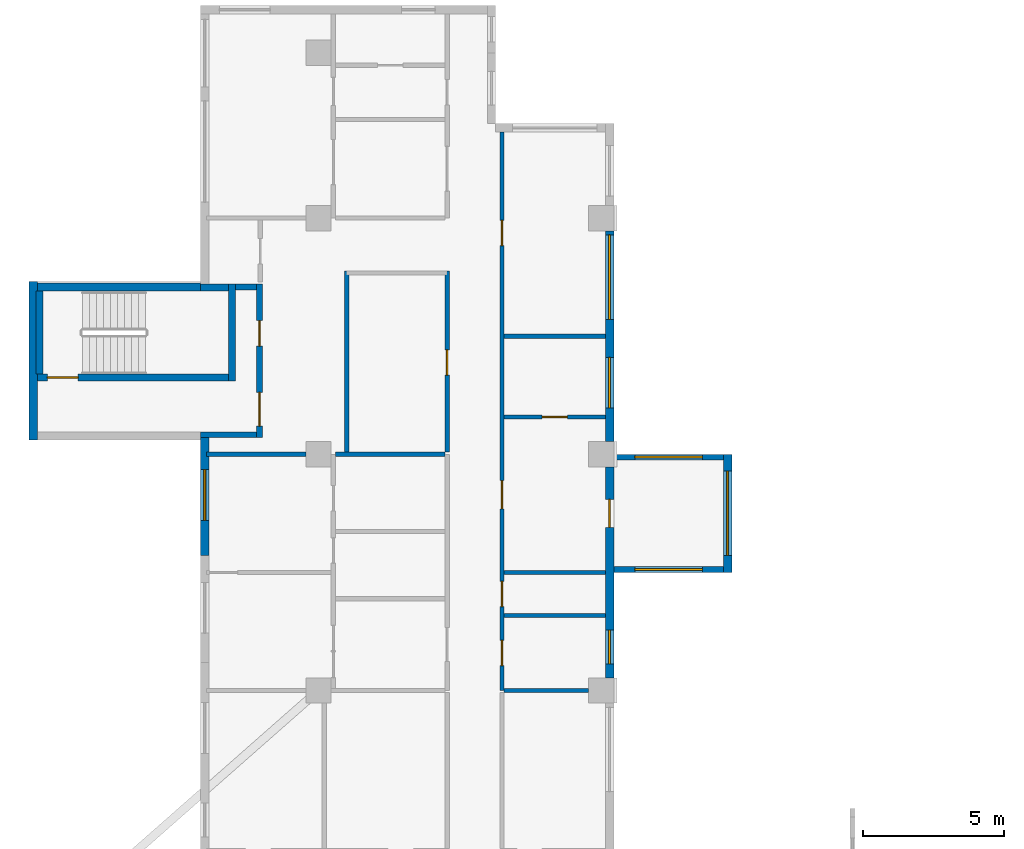
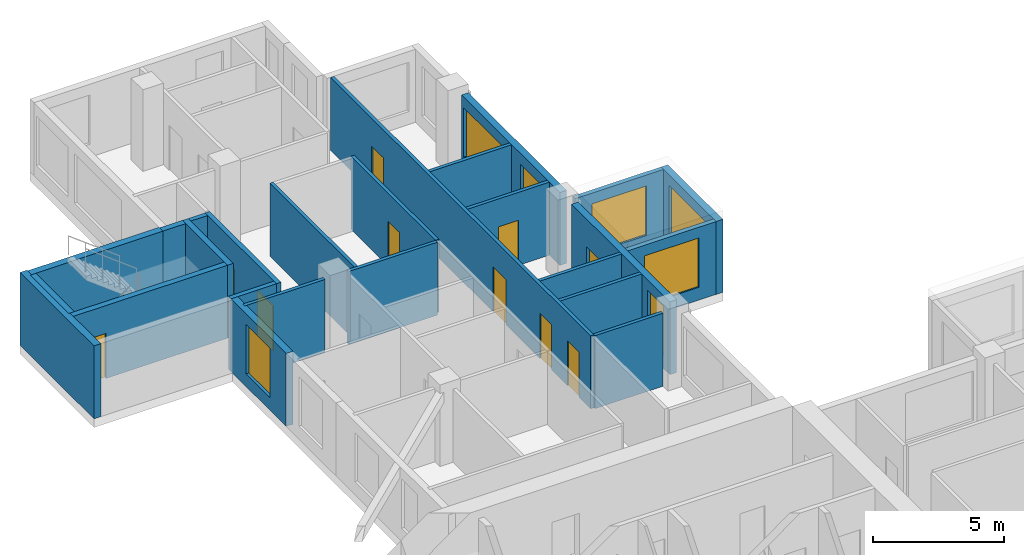
# One storey, part 7 of 12: 25 walls, 10 doors, 7 windows, 17 openings.
"""IFC4 building model written with IfcOpenShell, lengths in metres."""

import ifcopenshell
import ifcopenshell.guid

model = None  # the IFC model being written
_history = None  # IfcOwnerHistory: only IFC2X3 demands one
_inside = {}  # id of a spatial element -> (the spatial element, [elements in it])
_under = {}  # id of a project, library or spatial element -> (it, [spatial elements below it])
_declared = {}  # id of a project -> (the project, [libraries it declares])
_typed = {}  # id of a type object -> (the type object, [elements of that type])
_made_of = {}  # id of a material, layer set ... -> (it, [elements and type objects made of it])


def new_model(schema):
    """Start an empty IFC model of exactly this schema.

    Asked for "IFC4X3", IfcOpenShell would pick the latest addendum, in which some entities
    have other attributes; the version numbers below select the first issue.
    IFC2X3 requires an IfcOwnerHistory on every rooted entity: one is made here for all.
    """
    global model, _history
    if schema == "IFC4X3":
        model = ifcopenshell.file(schema_version=(4, 3, 0, 0))
    else:
        model = ifcopenshell.file(schema=schema)
    _inside.clear()
    _under.clear()
    _declared.clear()
    _typed.clear()
    _made_of.clear()
    _history = None
    if model.schema == "IFC2X3":
        org = make("IfcOrganization", Name="unknown")
        user = make(
            "IfcPersonAndOrganization",
            ThePerson=make("IfcPerson", FamilyName="unknown"),
            TheOrganization=org,
        )
        app = make(
            "IfcApplication",
            ApplicationDeveloper=org,
            Version="unknown",
            ApplicationFullName="unknown",
            ApplicationIdentifier="unknown",
        )
        _history = make(
            "IfcOwnerHistory",
            OwningUser=user,
            OwningApplication=app,
            ChangeAction="ADDED",
            CreationDate=0,
        )
    return model


def make(cls, **values):
    """One entity of the class cls with the attributes given. An attribute that is None is left unset."""
    return model.create_entity(
        cls, **{name: value for name, value in values.items() if value is not None}
    )


def rooted(cls, **values):
    """An entity with a GlobalId (a new one), such as an element, a storey or a relation."""
    return make(cls, GlobalId=ifcopenshell.guid.new(), OwnerHistory=_history, **values)


def si_unit(unit_type, name, prefix=None):
    """IfcSIUnit, for example si_unit("LENGTHUNIT", "METRE", prefix="MILLI")."""
    return make("IfcSIUnit", UnitType=unit_type, Prefix=prefix, Name=name)


def assignment(units):
    """IfcUnitAssignment: the units of a project."""
    return None if units is None else make("IfcUnitAssignment", Units=units)


def point(xyz):
    """IfcCartesianPoint."""
    return None if xyz is None else make("IfcCartesianPoint", Coordinates=xyz)


def direction(xyz):
    """IfcDirection."""
    return None if xyz is None else make("IfcDirection", DirectionRatios=xyz)


def frame(location, z_axis=None, x_axis=None):
    """IfcAxis2Placement3D, a coordinate frame: its origin and axes. An axis left out is left unset."""
    return make(
        "IfcAxis2Placement3D",
        Location=point(location),
        Axis=direction(z_axis),
        RefDirection=direction(x_axis),
    )


def frame_2d(location, x_axis=None):
    """IfcAxis2Placement2D, a coordinate frame in the plane: its origin and x axis."""
    return make(
        "IfcAxis2Placement2D", Location=point(location), RefDirection=direction(x_axis)
    )


def origin():
    """The frame at (0, 0, 0) with its axes left unset."""
    return frame((0.0, 0.0, 0.0))


def place(relative_to, where):
    """IfcLocalPlacement: puts the frame where relative to a parent placement (None: the world)."""
    return make(
        "IfcLocalPlacement", PlacementRelTo=relative_to, RelativePlacement=where
    )


def context(
    kind, dimensions, precision=None, world=None, true_north=None, identifier=None
):
    """IfcGeometricRepresentationContext, for example the 3D "Model" context."""
    return make(
        "IfcGeometricRepresentationContext",
        ContextIdentifier=identifier,
        ContextType=kind,
        CoordinateSpaceDimension=dimensions,
        Precision=precision,
        WorldCoordinateSystem=world,
        TrueNorth=true_north,
    )


def subcontext(parent, identifier, kind, view, scale=None):
    """IfcGeometricRepresentationSubContext, for example "Body" below "Model"."""
    return make(
        "IfcGeometricRepresentationSubContext",
        ContextIdentifier=identifier,
        ContextType=kind,
        ParentContext=parent,
        TargetScale=scale,
        TargetView=view,
    )


def project(units=None, contexts=None):
    """IfcProject with its units and contexts."""
    return rooted(
        "IfcProject",
        Name="project",
        RepresentationContexts=contexts,
        UnitsInContext=assignment(units),
    )


def spatial(cls, under=None, at=None, **own):
    """A site, building, storey or space (cls), placed at a placement, below another one or the project."""
    s = rooted(cls, ObjectPlacement=at, **own)
    if under is not None:
        _under.setdefault(under.id(), (under, []))[1].append(s)
    return s


def profile(cls, at=None, kind="AREA", **sizes):
    """A parametric profile (cls). Its sizes go by their IFC names, for example OverallWidth=200.0."""
    return make(cls, ProfileType=kind, Position=at, **sizes)


def rectangle(**sizes):
    """IfcRectangleProfileDef."""
    return profile("IfcRectangleProfileDef", **sizes)


def extrude(swept, where, along, depth):
    """IfcExtrudedAreaSolid: the profile swept, set in the frame where, extruded along a direction by depth."""
    return make(
        "IfcExtrudedAreaSolid",
        SweptArea=swept,
        Position=where,
        ExtrudedDirection=direction(along),
        Depth=depth,
    )


def shape(context_of_items, identifier, shape_type, items):
    """IfcShapeRepresentation: the items that make up one representation, for example the "Body"."""
    return make(
        "IfcShapeRepresentation",
        ContextOfItems=context_of_items,
        RepresentationIdentifier=identifier,
        RepresentationType=shape_type,
        Items=items,
    )


def source(mapping_origin, context_of_items, identifier, shape_type, items):
    """IfcRepresentationMap: a shape defined once, which mapped items show again and again."""
    return make(
        "IfcRepresentationMap",
        MappingOrigin=mapping_origin,
        MappedRepresentation=shape(context_of_items, identifier, shape_type, items),
    )


def transform(
    local_origin,
    x_axis=None,
    y_axis=None,
    z_axis=None,
    scale=None,
    scale2=None,
    scale3=None,
    uniform=True,
):
    """IfcCartesianTransformationOperator3D, or its non-uniform kind. x_axis, y_axis, z_axis: its Axis1, 2, 3."""
    if uniform:
        return make(
            "IfcCartesianTransformationOperator3D",
            Axis1=direction(x_axis),
            Axis2=direction(y_axis),
            LocalOrigin=point(local_origin),
            Scale=scale,
            Axis3=direction(z_axis),
        )
    return make(
        "IfcCartesianTransformationOperator3DnonUniform",
        Axis1=direction(x_axis),
        Axis2=direction(y_axis),
        LocalOrigin=point(local_origin),
        Scale=scale,
        Axis3=direction(z_axis),
        Scale2=scale2,
        Scale3=scale3,
    )


def mapped(mapping_source, mapping_target):
    """IfcMappedItem: shows the shape of a source again, moved by a transform."""
    return make(
        "IfcMappedItem", MappingSource=mapping_source, MappingTarget=mapping_target
    )


def material(Name=None, Category=None):
    """IfcMaterial."""
    return make("IfcMaterial", Name=Name, Category=Category)


def layer(
    of_material, thickness, ventilated=None, Name=None, Category=None, Priority=None
):
    """IfcMaterialLayer: one layer of a wall or slab, of a material (None: an air gap)."""
    return make(
        "IfcMaterialLayer",
        Material=of_material,
        LayerThickness=thickness,
        IsVentilated=ventilated,
        Name=Name,
        Category=Category,
        Priority=Priority,
    )


def layer_set(layers, Name=None):
    """IfcMaterialLayerSet."""
    return make("IfcMaterialLayerSet", MaterialLayers=layers, LayerSetName=Name)


def made_of(thing, what):
    """Note that an element or type object is made of a material, layer set ...; save() writes the relation."""
    if what is not None:
        _made_of.setdefault(what.id(), (what, []))[1].append(thing)
    return thing


def type_object(cls, material=None, **own):
    """A type object (cls), such as IfcWallType, which elements share."""
    return made_of(rooted(cls, **own), material)


def element(
    cls,
    number,
    at=None,
    inside=None,
    cuts=None,
    type_object=None,
    material=None,
    context=None,
    identifier="Body",
    shape_type=None,
    held_by="IfcProductDefinitionShape",
    body=None,
    shapes=None,
    **own,
):
    """One element of the class cls, such as IfcWall. Its Tag is "e" and its number.

    at: its placement. inside: the storey or other place that contains it. cuts: it is an
    opening in that element (IfcRelVoidsElement). A single representation is given by context,
    identifier, shape_type and body (its items); several are given by shapes. held_by: the class
    of the entity that holds the representations. save() writes the other relations.
    """
    e = rooted(cls, Tag="e%d" % number, ObjectPlacement=at, **own)
    if body is not None:
        shapes = [shape(context, identifier, shape_type, body)]
    if shapes is not None:
        e.Representation = make(held_by, Representations=shapes)
    if inside is not None:
        _inside.setdefault(inside.id(), (inside, []))[1].append(e)
    if cuts is not None:
        rooted(
            "IfcRelVoidsElement", RelatingBuildingElement=cuts, RelatedOpeningElement=e
        )
    if type_object is not None:
        _typed.setdefault(type_object.id(), (type_object, []))[1].append(e)
    return made_of(e, material)


def fill(opening, filler):
    """IfcRelFillsElement: the door or window that sits in an opening."""
    return rooted(
        "IfcRelFillsElement",
        RelatingOpeningElement=opening,
        RelatedBuildingElement=filler,
    )


def aggregate(whole, parts):
    """IfcRelAggregates: a whole, such as a stair, and the parts it consists of."""
    return rooted("IfcRelAggregates", RelatingObject=whole, RelatedObjects=parts)


def save(model, path):
    """Write the relations noted so far, then the file.

    IfcRelAggregates (storeys below a building ...), IfcRelContainedInSpatialStructure (elements
    in a storey), IfcRelDefinesByType, IfcRelAssociatesMaterial and IfcRelDeclares: one each for
    every whole, place, type object, material and project.
    """
    for whole, parts in _under.values():
        aggregate(whole, parts)
    for where, things in _inside.values():
        rooted(
            "IfcRelContainedInSpatialStructure",
            RelatedElements=things,
            RelatingStructure=where,
        )
    for kind, things in _typed.values():
        rooted("IfcRelDefinesByType", RelatedObjects=things, RelatingType=kind)
    for what, things in _made_of.values():
        rooted("IfcRelAssociatesMaterial", RelatedObjects=things, RelatingMaterial=what)
    for by, libraries in _declared.values():
        rooted("IfcRelDeclares", RelatingContext=by, RelatedDefinitions=libraries)
    model.write(path)


model = new_model("IFC4")

# Units and contexts
model_context = context("Model", 3, precision=1e-05, world=origin(), true_north=direction((0.0, 1.0)))
body_context = subcontext(model_context, "Body", "Model", "MODEL_VIEW")
ifc_project = project(units=[si_unit("LENGTHUNIT", "METRE"), si_unit("AREAUNIT", "SQUARE_METRE"), si_unit("VOLUMEUNIT", "CUBIC_METRE"), si_unit("PLANEANGLEUNIT", "RADIAN"), si_unit("MASSUNIT", "GRAM", prefix="KILO")], contexts=[model_context])

# Site, building, storey
site_placement = place(None, origin())
site = spatial("IfcSite", under=ifc_project, at=site_placement, CompositionType="ELEMENT")
building_placement = place(site_placement, origin())
building = spatial("IfcBuilding", under=site, at=building_placement, Name="Aurelian Terraces", CompositionType="ELEMENT")
storey_placement = place(building_placement, frame((0.0, 0.0, 181.6)))
storey = spatial("IfcBuildingStorey", under=building, at=storey_placement, Name="L39", CompositionType="ELEMENT", Elevation=181.6)

# Wall, openings, window, door
ifc_material_1 = material(Name="Terracotta rainscreen cladding", Category="masonry")
ifc_layer_1 = layer(ifc_material_1, 0.3)
ifc_layer_set_1 = layer_set([ifc_layer_1], Name="EW-300")
wall_type_1 = type_object("IfcWallType", Name="EW-300", PredefinedType="STANDARD", material=ifc_layer_set_1)
shared_shape_1 = source(origin(), body_context, "Body", "SweptSolid", [
    extrude(rectangle(XDim=7.5, YDim=0.3, at=frame_2d((3.75, 0.0))), origin(), (0.0, 0.0, 1.0), 3.4),
])
wall_1_placement = place(storey_placement, frame((20.85, 29.85, 0.0), z_axis=(0.0, 0.0, 1.0), x_axis=(0.0, 1.0, 0.0)))
wall_1 = element("IfcWall", 1, at=wall_1_placement, inside=storey, type_object=wall_type_1, Name="External wall L39 F08.19", PredefinedType="STANDARD", context=body_context, shape_type="MappedRepresentation", body=[
    mapped(shared_shape_1, transform((0.0, 0.0, 0.0), scale=1.0)),
])
shared_shape_2 = source(origin(), body_context, "Body", "SweptSolid", [
    extrude(rectangle(XDim=1.2, YDim=2.3, at=frame_2d((0.6, 1.15))), frame((0.0, 0.16, 0.0), z_axis=(0.0, -1.0, 0.0), x_axis=(1.0, 0.0, 0.0)), (0.0, 0.0, 1.0), 0.32),
])
opening_1_placement = place(wall_1_placement, frame((0.496, 0.0, 0.6)))
opening_1 = element("IfcOpeningElement", 2, at=opening_1_placement, cuts=wall_1, Name="Opening W1223", PredefinedType="OPENING", context=body_context, shape_type="MappedRepresentation", body=[
    mapped(shared_shape_2, transform((0.0, 0.0, 0.0), scale=1.0)),
])
shared_shape_3 = source(origin(), body_context, "Body", "SweptSolid", [
    extrude(rectangle(XDim=1.0, YDim=2.1, at=frame_2d((0.5, 1.05))), frame((0.0, 0.16, 0.0), z_axis=(0.0, -1.0, 0.0), x_axis=(1.0, 0.0, 0.0)), (0.0, 0.0, 1.0), 0.32),
])
opening_2_placement = place(wall_1_placement, frame((5.35, 0.0, 0.0)))
opening_2 = element("IfcOpeningElement", 3, at=opening_2_placement, cuts=wall_1, Name="Opening 839003", PredefinedType="OPENING", context=body_context, shape_type="MappedRepresentation", body=[
    mapped(shared_shape_3, transform((0.0, 0.0, 0.0), scale=1.0)),
])
ifc_material_2 = material(Name="Clear glazing", Category="glass")
window_type_1 = type_object("IfcWindowType", Name="W-1200x2300", PartitioningType="SINGLE_PANEL", PredefinedType="WINDOW", material=ifc_material_2)
shared_shape_4 = source(origin(), body_context, "Body", "SweptSolid", [
    extrude(rectangle(XDim=1.2, YDim=2.3, at=frame_2d((0.6, 1.15))), frame((0.0, 0.03, 0.0), z_axis=(0.0, -1.0, 0.0), x_axis=(1.0, 0.0, 0.0)), (0.0, 0.0, 1.0), 0.06),
])
window_1_placement = place(opening_1_placement, origin())
window_1 = element("IfcWindow", 4, at=window_1_placement, inside=storey, type_object=window_type_1, Name="Window L39 L39-F08-19-0", OverallHeight=2.3, OverallWidth=1.2, PartitioningType="SINGLE_PANEL", PredefinedType="WINDOW", context=body_context, shape_type="MappedRepresentation", body=[
    mapped(shared_shape_4, transform((0.0, 0.0, 0.0), scale=1.0)),
])
fill(opening_1, window_1)
ifc_material_3 = material(Name="Timber door leaf", Category="wood")
door_type_1 = type_object("IfcDoorType", Name="Room door 1000x2100 left", OperationType="SINGLE_SWING_LEFT", PredefinedType="DOOR", material=ifc_material_3)
shared_shape_5 = source(origin(), body_context, "Body", "SweptSolid", [
    extrude(rectangle(XDim=1.0, YDim=2.1, at=frame_2d((0.5, 1.05))), frame((0.0, 0.025, 0.0), z_axis=(0.0, -1.0, 0.0), x_axis=(1.0, 0.0, 0.0)), (0.0, 0.0, 1.0), 0.05),
])
door_1_placement = place(opening_2_placement, origin())
door_1 = element("IfcDoor", 5, at=door_1_placement, inside=storey, type_object=door_type_1, Name="Door 839003", OperationType="SINGLE_SWING_LEFT", OverallHeight=2.1, OverallWidth=1.0, PredefinedType="DOOR", context=body_context, shape_type="MappedRepresentation", body=[
    mapped(shared_shape_5, transform((0.0, 0.0, 0.0), scale=1.0)),
])
fill(opening_2, door_1)

# Wall, openings, windows
wall_2_placement = place(storey_placement, frame((20.85, 38.25, 0.0), z_axis=(0.0, 0.0, 1.0), x_axis=(0.0, 1.0, 0.0)))
wall_2 = element("IfcWall", 6, at=wall_2_placement, inside=storey, type_object=wall_type_1, Name="External wall L39 F08.20", PredefinedType="STANDARD", context=body_context, shape_type="MappedRepresentation", body=[
    mapped(shared_shape_1, transform((0.0, 0.0, 0.0), scale=1.0)),
])
shared_shape_6 = source(origin(), body_context, "Body", "SweptSolid", [
    extrude(rectangle(XDim=1.8, YDim=2.3, at=frame_2d((0.9, 1.15))), frame((0.0, 0.16, 0.0), z_axis=(0.0, -1.0, 0.0), x_axis=(1.0, 0.0, 0.0)), (0.0, 0.0, 1.0), 0.32),
])
opening_3_placement = place(wall_2_placement, frame((1.2, 0.0, 0.6)))
opening_3 = element("IfcOpeningElement", 7, at=opening_3_placement, cuts=wall_2, Name="Opening W1823", PredefinedType="OPENING", context=body_context, shape_type="MappedRepresentation", body=[
    mapped(shared_shape_6, transform((0.0, 0.0, 0.0), scale=1.0)),
])
shared_shape_7 = source(origin(), body_context, "Body", "SweptSolid", [
    extrude(rectangle(XDim=3.0, YDim=2.3, at=frame_2d((1.5, 1.15))), frame((0.0, 0.16, 0.0), z_axis=(0.0, -1.0, 0.0), x_axis=(1.0, 0.0, 0.0)), (0.0, 0.0, 1.0), 0.32),
])
opening_4_placement = place(wall_2_placement, frame((4.35, 0.0, 0.6)))
opening_4 = element("IfcOpeningElement", 8, at=opening_4_placement, cuts=wall_2, Name="Opening W3023", PredefinedType="OPENING", context=body_context, shape_type="MappedRepresentation", body=[
    mapped(shared_shape_7, transform((0.0, 0.0, 0.0), scale=1.0)),
])
window_type_2 = type_object("IfcWindowType", Name="W-3000x2300", PartitioningType="SINGLE_PANEL", PredefinedType="WINDOW", material=ifc_material_2)
shared_shape_8 = source(origin(), body_context, "Body", "SweptSolid", [
    extrude(rectangle(XDim=3.0, YDim=2.3, at=frame_2d((1.5, 1.15))), frame((0.0, 0.03, 0.0), z_axis=(0.0, -1.0, 0.0), x_axis=(1.0, 0.0, 0.0)), (0.0, 0.0, 1.0), 0.06),
])
window_2_placement = place(opening_4_placement, origin())
window_2 = element("IfcWindow", 9, at=window_2_placement, inside=storey, type_object=window_type_2, Name="Window L39 L39-F08-20-1", OverallHeight=2.3, OverallWidth=3.0, PartitioningType="SINGLE_PANEL", PredefinedType="WINDOW", context=body_context, shape_type="MappedRepresentation", body=[
    mapped(shared_shape_8, transform((0.0, 0.0, 0.0), scale=1.0)),
])
fill(opening_4, window_2)
window_type_3 = type_object("IfcWindowType", Name="W-1800x2300", PartitioningType="SINGLE_PANEL", PredefinedType="WINDOW", material=ifc_material_2)
shared_shape_9 = source(origin(), body_context, "Body", "SweptSolid", [
    extrude(rectangle(XDim=1.8, YDim=2.3, at=frame_2d((0.9, 1.15))), frame((0.0, 0.03, 0.0), z_axis=(0.0, -1.0, 0.0), x_axis=(1.0, 0.0, 0.0)), (0.0, 0.0, 1.0), 0.06),
])
window_3_placement = place(opening_3_placement, origin())
window_3 = element("IfcWindow", 10, at=window_3_placement, inside=storey, type_object=window_type_3, Name="Window L39 L39-F08-20-0", OverallHeight=2.3, OverallWidth=1.8, PartitioningType="SINGLE_PANEL", PredefinedType="WINDOW", context=body_context, shape_type="MappedRepresentation", body=[
    mapped(shared_shape_9, transform((0.0, 0.0, 0.0), scale=1.0)),
])
fill(opening_3, window_3)

# Wall, opening, window
shared_shape_10 = source(origin(), body_context, "Body", "SweptSolid", [
    extrude(rectangle(XDim=4.2, YDim=0.3, at=frame_2d((2.1, 0.0))), origin(), (0.0, 0.0, 1.0), 3.4),
])
wall_3_placement = place(storey_placement, frame((6.45, 38.4, 0.0), z_axis=(0.0, 0.0, 1.0), x_axis=(0.0, -1.0, 0.0)))
wall_3 = element("IfcWall", 11, at=wall_3_placement, inside=storey, type_object=wall_type_1, Name="External wall L39 F16.30", PredefinedType="STANDARD", context=body_context, shape_type="MappedRepresentation", body=[
    mapped(shared_shape_10, transform((0.0, 0.0, 0.0), scale=1.0)),
])
opening_5_placement = place(wall_3_placement, frame((1.15, 0.0, 0.6)))
opening_5 = element("IfcOpeningElement", 12, at=opening_5_placement, cuts=wall_3, Name="Opening W1823", PredefinedType="OPENING", context=body_context, shape_type="MappedRepresentation", body=[
    mapped(shared_shape_6, transform((0.0, 0.0, 0.0), scale=1.0)),
])
window_4_placement = place(opening_5_placement, origin())
window_4 = element("IfcWindow", 13, at=window_4_placement, inside=storey, type_object=window_type_3, Name="Window L39 L39-F16-30-0", OverallHeight=2.3, OverallWidth=1.8, PartitioningType="SINGLE_PANEL", PredefinedType="WINDOW", context=body_context, shape_type="MappedRepresentation", body=[
    mapped(shared_shape_9, transform((0.0, 0.0, 0.0), scale=1.0)),
])
fill(opening_5, window_4)

# Wall
ifc_material_4 = material(Name="Concrete fc' 40 MPa", Category="concrete")
ifc_layer_2 = layer(ifc_material_4, 0.3)
ifc_layer_set_2 = layer_set([ifc_layer_2], Name="STAIR BAY WALL 300")
wall_type_2 = type_object("IfcWallType", Name="STAIR BAY WALL 300", PredefinedType="SOLIDWALL", material=ifc_layer_set_2)
shared_shape_11 = source(origin(), body_context, "Body", "SweptSolid", [
    extrude(rectangle(XDim=6.1, YDim=0.3, at=frame_2d((3.05, 0.0))), origin(), (0.0, 0.0, 1.0), 3.4),
])
wall_4_placement = place(storey_placement, frame((6.3, 43.75, 0.0), z_axis=(0.0, 0.0, 1.0), x_axis=(-1.0, 0.0, 0.0)))
element("IfcWall", 14, at=wall_4_placement, inside=storey, type_object=wall_type_2, Name="Stair bay wall L39 F13.27", PredefinedType="SOLIDWALL", context=body_context, shape_type="MappedRepresentation", body=[
    mapped(shared_shape_11, transform((0.0, 0.0, 0.0), scale=1.0)),
])

# Wall, opening, window
ifc_layer_3 = layer(ifc_material_4, 0.2)
ifc_layer_set_3 = layer_set([ifc_layer_3], Name="BOX BEARING WALL 200")
wall_type_3 = type_object("IfcWallType", Name="BOX BEARING WALL 200", PredefinedType="SOLIDWALL", material=ifc_layer_set_3)
shared_shape_12 = source(origin(), body_context, "Body", "SweptSolid", [
    extrude(rectangle(XDim=3.9, YDim=0.2, at=frame_2d((1.95, 0.0))), origin(), (0.0, 0.0, 1.0), 3.4),
])
wall_5_placement = place(storey_placement, frame((21.0, 33.7, 0.0), z_axis=(0.0, 0.0, 1.0), x_axis=(1.0, 0.0, 0.0)))
wall_5 = element("IfcWall", 15, at=wall_5_placement, inside=storey, type_object=wall_type_3, Name="Box return L39 J53.1", PredefinedType="SOLIDWALL", context=body_context, shape_type="MappedRepresentation", body=[
    mapped(shared_shape_12, transform((0.0, 0.0, 0.0), scale=1.0)),
])
shared_shape_13 = source(origin(), body_context, "Body", "SweptSolid", [
    extrude(rectangle(XDim=2.4, YDim=2.3, at=frame_2d((1.2, 1.15))), frame((0.0, 0.11, 0.0), z_axis=(0.0, -1.0, 0.0), x_axis=(1.0, 0.0, 0.0)), (0.0, 0.0, 1.0), 0.22),
])
opening_6_placement = place(wall_5_placement, frame((0.75, 0.0, 0.6)))
opening_6 = element("IfcOpeningElement", 16, at=opening_6_placement, cuts=wall_5, Name="Opening W2423", PredefinedType="OPENING", context=body_context, shape_type="MappedRepresentation", body=[
    mapped(shared_shape_13, transform((0.0, 0.0, 0.0), scale=1.0)),
])
window_type_4 = type_object("IfcWindowType", Name="W-2400x2300", PartitioningType="SINGLE_PANEL", PredefinedType="WINDOW", material=ifc_material_2)
shared_shape_14 = source(origin(), body_context, "Body", "SweptSolid", [
    extrude(rectangle(XDim=2.4, YDim=2.3, at=frame_2d((1.2, 1.15))), frame((0.0, 0.03, 0.0), z_axis=(0.0, -1.0, 0.0), x_axis=(1.0, 0.0, 0.0)), (0.0, 0.0, 1.0), 0.06),
])
window_5_placement = place(opening_6_placement, origin())
window_5 = element("IfcWindow", 17, at=window_5_placement, inside=storey, type_object=window_type_4, Name="Window L39 J53-S1", OverallHeight=2.3, OverallWidth=2.4, PartitioningType="SINGLE_PANEL", PredefinedType="WINDOW", context=body_context, shape_type="MappedRepresentation", body=[
    mapped(shared_shape_14, transform((0.0, 0.0, 0.0), scale=1.0)),
])
fill(opening_6, window_5)

wall_6_placement = place(storey_placement, frame((21.0, 37.7, 0.0), z_axis=(0.0, 0.0, 1.0), x_axis=(1.0, 0.0, 0.0)))
wall_6 = element("IfcWall", 18, at=wall_6_placement, inside=storey, type_object=wall_type_3, Name="Box return L39 J53.2", PredefinedType="SOLIDWALL", context=body_context, shape_type="MappedRepresentation", body=[
    mapped(shared_shape_12, transform((0.0, 0.0, 0.0), scale=1.0)),
])
opening_7_placement = place(wall_6_placement, frame((0.75, 0.0, 0.6)))
opening_7 = element("IfcOpeningElement", 19, at=opening_7_placement, cuts=wall_6, Name="Opening W2423", PredefinedType="OPENING", context=body_context, shape_type="MappedRepresentation", body=[
    mapped(shared_shape_13, transform((0.0, 0.0, 0.0), scale=1.0)),
])
window_6_placement = place(opening_7_placement, origin())
window_6 = element("IfcWindow", 20, at=window_6_placement, inside=storey, type_object=window_type_4, Name="Window L39 J53-S2", OverallHeight=2.3, OverallWidth=2.4, PartitioningType="SINGLE_PANEL", PredefinedType="WINDOW", context=body_context, shape_type="MappedRepresentation", body=[
    mapped(shared_shape_14, transform((0.0, 0.0, 0.0), scale=1.0)),
])
fill(opening_7, window_6)

ifc_layer_4 = layer(ifc_material_4, 0.3)
ifc_layer_set_4 = layer_set([ifc_layer_4], Name="BOX BEARING WALL 300")
wall_type_4 = type_object("IfcWallType", Name="BOX BEARING WALL 300", PredefinedType="SOLIDWALL", material=ifc_layer_set_4)
shared_shape_15 = source(origin(), body_context, "Body", "SweptSolid", [
    extrude(rectangle(XDim=4.2, YDim=0.3, at=frame_2d((2.1, 0.0))), origin(), (0.0, 0.0, 1.0), 3.4),
])
wall_7_placement = place(storey_placement, frame((25.05, 33.6, 0.0), z_axis=(0.0, 0.0, 1.0), x_axis=(0.0, 1.0, 0.0)))
wall_7 = element("IfcWall", 21, at=wall_7_placement, inside=storey, type_object=wall_type_4, Name="Box wall L39 J53", PredefinedType="SOLIDWALL", context=body_context, shape_type="MappedRepresentation", body=[
    mapped(shared_shape_15, transform((0.0, 0.0, 0.0), scale=1.0)),
])
opening_8_placement = place(wall_7_placement, frame((0.6, 0.0, 0.6)))
opening_8 = element("IfcOpeningElement", 22, at=opening_8_placement, cuts=wall_7, Name="Opening W3023", PredefinedType="OPENING", context=body_context, shape_type="MappedRepresentation", body=[
    mapped(shared_shape_7, transform((0.0, 0.0, 0.0), scale=1.0)),
])
window_7_placement = place(opening_8_placement, origin())
window_7 = element("IfcWindow", 23, at=window_7_placement, inside=storey, type_object=window_type_2, Name="Window L39 J53-F1", OverallHeight=2.3, OverallWidth=3.0, PartitioningType="SINGLE_PANEL", PredefinedType="WINDOW", context=body_context, shape_type="MappedRepresentation", body=[
    mapped(shared_shape_8, transform((0.0, 0.0, 0.0), scale=1.0)),
])
fill(opening_8, window_7)

# Wall
shared_shape_16 = source(origin(), body_context, "Body", "SweptSolid", [
    extrude(rectangle(XDim=5.65, YDim=0.3, at=frame_2d((2.825, 0.0))), origin(), (0.0, 0.0, 1.0), 3.4),
])
wall_8_placement = place(storey_placement, frame((0.35, 43.95, 0.0), z_axis=(0.0, 0.0, 1.0), x_axis=(0.0, -1.0, 0.0)))
element("IfcWall", 24, at=wall_8_placement, inside=storey, type_object=wall_type_2, Name="Stair bay wall L39 F14.28", PredefinedType="SOLIDWALL", context=body_context, shape_type="MappedRepresentation", body=[
    mapped(shared_shape_16, transform((0.0, 0.0, 0.0), scale=1.0)),
])

# Wall, opening, door
ifc_layer_5 = layer(ifc_material_4, 0.25)
ifc_layer_set_5 = layer_set([ifc_layer_5], Name="Stair enclosure wall 250")
wall_type_5 = type_object("IfcWallType", Name="Stair enclosure wall 250", PredefinedType="SOLIDWALL", material=ifc_layer_set_5)
shared_shape_17 = source(origin(), body_context, "Body", "SweptSolid", [
    extrude(rectangle(XDim=7.0, YDim=0.25, at=frame_2d((3.5, 0.0))), origin(), (0.0, 0.0, 1.0), 3.4),
])
wall_9_placement = place(storey_placement, frame((0.3, 40.525, 0.0), z_axis=(0.0, 0.0, 1.0), x_axis=(1.0, 0.0, 0.0)))
wall_9 = element("IfcWall", 25, at=wall_9_placement, inside=storey, type_object=wall_type_5, Name="L39 core wall ST-S3-W", PredefinedType="SOLIDWALL", context=body_context, shape_type="MappedRepresentation", body=[
    mapped(shared_shape_17, transform((0.0, 0.0, 0.0), scale=1.0)),
])
shared_shape_18 = source(origin(), body_context, "Body", "SweptSolid", [
    extrude(rectangle(XDim=1.1, YDim=2.1, at=frame_2d((0.55, 1.05))), frame((0.0, 0.135, 0.0), z_axis=(0.0, -1.0, 0.0), x_axis=(1.0, 0.0, 0.0)), (0.0, 0.0, 1.0), 0.27),
])
opening_9_placement = place(wall_9_placement, frame((0.55, 0.0, 0.0)))
opening_9 = element("IfcOpeningElement", 26, at=opening_9_placement, cuts=wall_9, Name="Opening 64218", PredefinedType="OPENING", context=body_context, shape_type="MappedRepresentation", body=[
    mapped(shared_shape_18, transform((0.0, 0.0, 0.0), scale=1.0)),
])
ifc_material_5 = material(Name="Steel door leaf", Category="steel")
door_type_2 = type_object("IfcDoorType", Name="Core fire door 1100x2100", OperationType="SINGLE_SWING_LEFT", PredefinedType="DOOR", material=ifc_material_5)
shared_shape_19 = source(origin(), body_context, "Body", "SweptSolid", [
    extrude(rectangle(XDim=1.1, YDim=2.1, at=frame_2d((0.55, 1.05))), frame((0.0, 0.025, 0.0), z_axis=(0.0, -1.0, 0.0), x_axis=(1.0, 0.0, 0.0)), (0.0, 0.0, 1.0), 0.05),
])
door_2_placement = place(opening_9_placement, origin())
door_2 = element("IfcDoor", 27, at=door_2_placement, inside=storey, type_object=door_type_2, Name="Stair door 64218", OperationType="SINGLE_SWING_LEFT", OverallHeight=2.1, OverallWidth=1.1, PredefinedType="DOOR", context=body_context, shape_type="MappedRepresentation", body=[
    mapped(shared_shape_19, transform((0.0, 0.0, 0.0), scale=1.0)),
])
fill(opening_9, door_2)

# Walls
shared_shape_20 = source(origin(), body_context, "Body", "SweptSolid", [
    extrude(rectangle(XDim=3.45, YDim=0.25, at=frame_2d((1.725, 0.0))), origin(), (0.0, 0.0, 1.0), 3.4),
])
wall_10_placement = place(storey_placement, frame((7.425, 40.4, 0.0), z_axis=(0.0, 0.0, 1.0), x_axis=(0.0, 1.0, 0.0)))
element("IfcWall", 28, at=wall_10_placement, inside=storey, type_object=wall_type_5, Name="L39 core wall ST-S3-N", PredefinedType="SOLIDWALL", context=body_context, shape_type="MappedRepresentation", body=[
    mapped(shared_shape_20, transform((0.0, 0.0, 0.0), scale=1.0)),
])
shared_shape_21 = source(origin(), body_context, "Body", "SweptSolid", [
    extrude(rectangle(XDim=2.95, YDim=0.25, at=frame_2d((1.475, 0.0))), origin(), (0.0, 0.0, 1.0), 3.4),
])
wall_11_placement = place(storey_placement, frame((0.575, 40.65, 0.0), z_axis=(0.0, 0.0, 1.0), x_axis=(0.0, 1.0, 0.0)))
element("IfcWall", 29, at=wall_11_placement, inside=storey, type_object=wall_type_5, Name="L39 core wall ST-S3-SS", PredefinedType="SOLIDWALL", context=body_context, shape_type="MappedRepresentation", body=[
    mapped(shared_shape_21, transform((0.0, 0.0, 0.0), scale=1.0)),
])

# Wall, openings, doors
ifc_material_6 = material(Name="Gypsum board on steel studs", Category="steel")
ifc_layer_6 = layer(ifc_material_6, 0.2)
ifc_layer_set_6 = layer_set([ifc_layer_6], Name="Core partition 200")
wall_type_6 = type_object("IfcWallType", Name="Core partition 200", PredefinedType="PARTITIONING", material=ifc_layer_set_6)
shared_shape_22 = source(origin(), body_context, "Body", "SweptSolid", [
    extrude(rectangle(XDim=5.45, YDim=0.2, at=frame_2d((2.725, 0.0))), origin(), (0.0, 0.0, 1.0), 3.4),
])
wall_12_placement = place(storey_placement, frame((8.4, 38.4, 0.0), z_axis=(0.0, 0.0, 1.0), x_axis=(0.0, 1.0, 0.0)))
wall_12 = element("IfcWall", 30, at=wall_12_placement, inside=storey, type_object=wall_type_6, Name="L39 core wall ST-S3-BN", PredefinedType="PARTITIONING", context=body_context, shape_type="MappedRepresentation", body=[
    mapped(shared_shape_22, transform((0.0, 0.0, 0.0), scale=1.0)),
])
shared_shape_23 = source(origin(), body_context, "Body", "SweptSolid", [
    extrude(rectangle(XDim=1.2, YDim=2.1, at=frame_2d((0.6, 1.05))), frame((0.0, 0.11, 0.0), z_axis=(0.0, -1.0, 0.0), x_axis=(1.0, 0.0, 0.0)), (0.0, 0.0, 1.0), 0.22),
])
opening_10_placement = place(wall_12_placement, frame((0.4, 0.0, 0.0)))
opening_10 = element("IfcOpeningElement", 31, at=opening_10_placement, cuts=wall_12, Name="Opening 64219", PredefinedType="OPENING", context=body_context, shape_type="MappedRepresentation", body=[
    mapped(shared_shape_23, transform((0.0, 0.0, 0.0), scale=1.0)),
])
shared_shape_24 = source(origin(), body_context, "Body", "SweptSolid", [
    extrude(rectangle(XDim=0.9, YDim=2.1, at=frame_2d((0.45, 1.05))), frame((0.0, 0.11, 0.0), z_axis=(0.0, -1.0, 0.0), x_axis=(1.0, 0.0, 0.0)), (0.0, 0.0, 1.0), 0.22),
])
opening_11_placement = place(wall_12_placement, frame((3.25, 0.0, 0.0)))
opening_11 = element("IfcOpeningElement", 32, at=opening_11_placement, cuts=wall_12, Name="Opening 64220", PredefinedType="OPENING", context=body_context, shape_type="MappedRepresentation", body=[
    mapped(shared_shape_24, transform((0.0, 0.0, 0.0), scale=1.0)),
])
door_type_3 = type_object("IfcDoorType", Name="Core riser door 900x2100", OperationType="SINGLE_SWING_LEFT", PredefinedType="DOOR", material=ifc_material_5)
shared_shape_25 = source(origin(), body_context, "Body", "SweptSolid", [
    extrude(rectangle(XDim=0.9, YDim=2.1, at=frame_2d((0.45, 1.05))), frame((0.0, 0.025, 0.0), z_axis=(0.0, -1.0, 0.0), x_axis=(1.0, 0.0, 0.0)), (0.0, 0.0, 1.0), 0.05),
])
door_3_placement = place(opening_11_placement, origin())
door_3 = element("IfcDoor", 33, at=door_3_placement, inside=storey, type_object=door_type_3, Name="Riser door 64220", OperationType="SINGLE_SWING_LEFT", OverallHeight=2.1, OverallWidth=0.9, PredefinedType="DOOR", context=body_context, shape_type="MappedRepresentation", body=[
    mapped(shared_shape_25, transform((0.0, 0.0, 0.0), scale=1.0)),
])
fill(opening_11, door_3)
door_type_4 = type_object("IfcDoorType", Name="Core fire door 1200x2100 right", OperationType="SINGLE_SWING_RIGHT", PredefinedType="DOOR", material=ifc_material_5)
shared_shape_26 = source(origin(), body_context, "Body", "SweptSolid", [
    extrude(rectangle(XDim=1.2, YDim=2.1, at=frame_2d((0.6, 1.05))), frame((0.0, 0.025, 0.0), z_axis=(0.0, -1.0, 0.0), x_axis=(1.0, 0.0, 0.0)), (0.0, 0.0, 1.0), 0.05),
])
door_4_placement = place(opening_10_placement, origin())
door_4 = element("IfcDoor", 34, at=door_4_placement, inside=storey, type_object=door_type_4, Name="Vestibule door 64219", OperationType="SINGLE_SWING_RIGHT", OverallHeight=2.1, OverallWidth=1.2, PredefinedType="DOOR", context=body_context, shape_type="MappedRepresentation", body=[
    mapped(shared_shape_26, transform((0.0, 0.0, 0.0), scale=1.0)),
])
fill(opening_10, door_4)

# Walls
shared_shape_27 = source(origin(), body_context, "Body", "SweptSolid", [
    extrude(rectangle(XDim=0.75, YDim=0.2, at=frame_2d((0.375, 0.0))), origin(), (0.0, 0.0, 1.0), 3.4),
])
wall_13_placement = place(storey_placement, frame((7.55, 43.75, 0.0), z_axis=(0.0, 0.0, 1.0), x_axis=(1.0, 0.0, 0.0)))
element("IfcWall", 35, at=wall_13_placement, inside=storey, type_object=wall_type_6, Name="L39 core wall ST-S3-RE", PredefinedType="PARTITIONING", context=body_context, shape_type="MappedRepresentation", body=[
    mapped(shared_shape_27, transform((0.0, 0.0, 0.0), scale=1.0)),
])
shared_shape_28 = source(origin(), body_context, "Body", "SweptSolid", [
    extrude(rectangle(XDim=1.0, YDim=0.25, at=frame_2d((0.5, 0.0))), origin(), (0.0, 0.0, 1.0), 3.4),
])
wall_14_placement = place(storey_placement, frame((6.3, 43.725, 0.0), z_axis=(0.0, 0.0, 1.0), x_axis=(1.0, 0.0, 0.0)))
element("IfcWall", 36, at=wall_14_placement, inside=storey, type_object=wall_type_5, Name="L39 core wall ST-S3-E", PredefinedType="SOLIDWALL", context=body_context, shape_type="MappedRepresentation", body=[
    mapped(shared_shape_28, transform((0.0, 0.0, 0.0), scale=1.0)),
])
shared_shape_29 = source(origin(), body_context, "Body", "SweptSolid", [
    extrude(rectangle(XDim=2.0, YDim=0.2, at=frame_2d((1.0, 0.0))), origin(), (0.0, 0.0, 1.0), 3.4),
])
wall_15_placement = place(storey_placement, frame((6.3, 38.5, 0.0), z_axis=(0.0, 0.0, 1.0), x_axis=(1.0, 0.0, 0.0)))
element("IfcWall", 37, at=wall_15_placement, inside=storey, type_object=wall_type_6, Name="L39 core wall ST-S3-VW", PredefinedType="PARTITIONING", context=body_context, shape_type="MappedRepresentation", body=[
    mapped(shared_shape_29, transform((0.0, 0.0, 0.0), scale=1.0)),
])
ifc_layer_7 = layer(ifc_material_6, 0.15)
ifc_layer_set_7 = layer_set([ifc_layer_7], Name="Partition 150")
wall_type_7 = type_object("IfcWallType", Name="Partition 150", PredefinedType="PARTITIONING", material=ifc_layer_set_7)
shared_shape_30 = source(origin(), body_context, "Body", "SweptSolid", [
    extrude(rectangle(XDim=6.45, YDim=0.15, at=frame_2d((3.225, 0.0))), origin(), (0.0, 0.0, 1.0), 3.4),
])
wall_16_placement = place(storey_placement, frame((11.5, 44.325, 0.0), z_axis=(0.0, 0.0, 1.0), x_axis=(0.0, -1.0, 0.0)))
element("IfcWall", 38, at=wall_16_placement, inside=storey, type_object=wall_type_7, Name="Partition", PredefinedType="PARTITIONING", context=body_context, shape_type="MappedRepresentation", body=[
    mapped(shared_shape_30, transform((0.0, 0.0, 0.0), scale=1.0)),
])

# Wall, opening, door
ifc_layer_8 = layer(ifc_material_6, 0.15)
ifc_layer_set_8 = layer_set([ifc_layer_8], Name="Fire partition 150")
wall_type_8 = type_object("IfcWallType", Name="Fire partition 150", PredefinedType="PARTITIONING", material=ifc_layer_set_8)
wall_17_placement = place(storey_placement, frame((15.075, 37.875, 0.0), z_axis=(0.0, 0.0, 1.0), x_axis=(0.0, 1.0, 0.0)))
wall_17 = element("IfcWall", 39, at=wall_17_placement, inside=storey, type_object=wall_type_8, Name="Corridor wall", PredefinedType="PARTITIONING", context=body_context, shape_type="MappedRepresentation", body=[
    mapped(shared_shape_30, transform((0.0, 0.0, 0.0), scale=1.0)),
])
shared_shape_31 = source(origin(), body_context, "Body", "SweptSolid", [
    extrude(rectangle(XDim=0.9, YDim=2.1, at=frame_2d((0.45, 1.05))), frame((0.0, 0.085, 0.0), z_axis=(0.0, -1.0, 0.0), x_axis=(1.0, 0.0, 0.0)), (0.0, 0.0, 1.0), 0.17),
])
opening_12_placement = place(wall_17_placement, frame((2.7375, 0.0, 0.0)))
opening_12 = element("IfcOpeningElement", 40, at=opening_12_placement, cuts=wall_17, Name="Opening 739025", PredefinedType="OPENING", context=body_context, shape_type="MappedRepresentation", body=[
    mapped(shared_shape_31, transform((0.0, 0.0, 0.0), scale=1.0)),
])
door_type_5 = type_object("IfcDoorType", Name="Room door 900x2100 left", OperationType="SINGLE_SWING_LEFT", PredefinedType="DOOR", material=ifc_material_3)
door_5_placement = place(opening_12_placement, origin())
door_5 = element("IfcDoor", 41, at=door_5_placement, inside=storey, type_object=door_type_5, Name="Door 739025", OperationType="SINGLE_SWING_LEFT", OverallHeight=2.1, OverallWidth=0.9, PredefinedType="DOOR", context=body_context, shape_type="MappedRepresentation", body=[
    mapped(shared_shape_25, transform((0.0, 0.0, 0.0), scale=1.0)),
])
fill(opening_12, door_5)

# Walls
shared_shape_32 = source(origin(), body_context, "Body", "SweptSolid", [
    extrude(rectangle(XDim=3.9, YDim=0.15, at=frame_2d((1.95, 0.0))), origin(), (0.0, 0.0, 1.0), 3.4),
])
wall_18_placement = place(storey_placement, frame((15.0, 37.8, 0.0), z_axis=(0.0, 0.0, 1.0), x_axis=(-1.0, 0.0, 0.0)))
element("IfcWall", 42, at=wall_18_placement, inside=storey, type_object=wall_type_8, Name="Party wall", PredefinedType="PARTITIONING", context=body_context, shape_type="MappedRepresentation", body=[
    mapped(shared_shape_32, transform((0.0, 0.0, 0.0), scale=1.0)),
])
shared_shape_33 = source(origin(), body_context, "Body", "SweptSolid", [
    extrude(rectangle(XDim=3.6, YDim=0.15, at=frame_2d((1.8, 0.0))), origin(), (0.0, 0.0, 1.0), 3.4),
])
wall_19_placement = place(storey_placement, frame((17.1, 32.067, 0.0), z_axis=(0.0, 0.0, 1.0), x_axis=(1.0, 0.0, 0.0)))
element("IfcWall", 43, at=wall_19_placement, inside=storey, type_object=wall_type_7, Name="Partition", PredefinedType="PARTITIONING", context=body_context, shape_type="MappedRepresentation", body=[
    mapped(shared_shape_33, transform((0.0, 0.0, 0.0), scale=1.0)),
])

# Wall, opening, door
wall_20_placement = place(storey_placement, frame((17.1, 39.125, 0.0), z_axis=(0.0, 0.0, 1.0), x_axis=(1.0, 0.0, 0.0)))
wall_20 = element("IfcWall", 44, at=wall_20_placement, inside=storey, type_object=wall_type_7, Name="Partition", PredefinedType="PARTITIONING", context=body_context, shape_type="MappedRepresentation", body=[
    mapped(shared_shape_33, transform((0.0, 0.0, 0.0), scale=1.0)),
])
opening_13_placement = place(wall_20_placement, frame((1.35, 0.0, 0.0)))
opening_13 = element("IfcOpeningElement", 45, at=opening_13_placement, cuts=wall_20, Name="Opening 739040", PredefinedType="OPENING", context=body_context, shape_type="MappedRepresentation", body=[
    mapped(shared_shape_31, transform((0.0, 0.0, 0.0), scale=1.0)),
])
door_6_placement = place(opening_13_placement, origin())
door_6 = element("IfcDoor", 46, at=door_6_placement, inside=storey, type_object=door_type_5, Name="Door 739040", OperationType="SINGLE_SWING_LEFT", OverallHeight=2.1, OverallWidth=0.9, PredefinedType="DOOR", context=body_context, shape_type="MappedRepresentation", body=[
    mapped(shared_shape_25, transform((0.0, 0.0, 0.0), scale=1.0)),
])
fill(opening_13, door_6)

# Walls
for number, where, z_axis, x_axis, name in (
    (47, (20.7, 33.6, 0.0), (0.0, 0.0, 1.0), (-1.0, 0.0, 0.0), "Party wall"),
    (48, (20.7, 42.0, 0.0), (0.0, 0.0, 1.0), (-1.0, 0.0, 0.0), "Party wall"),
):
    element("IfcWall", number, at=place(storey_placement, frame(where, z_axis=z_axis, x_axis=x_axis)), inside=storey, type_object=wall_type_8, Name=name, PredefinedType="PARTITIONING", context=body_context, shape_type="MappedRepresentation", body=[
        mapped(shared_shape_33, transform((0.0, 0.0, 0.0), scale=1.0)),
    ])
shared_shape_34 = source(origin(), body_context, "Body", "SweptSolid", [
    extrude(rectangle(XDim=3.001, YDim=0.15, at=frame_2d((1.5005, 0.0))), origin(), (0.0, 0.0, 1.0), 3.4),
])
wall_21_placement = place(storey_placement, frame((20.101, 29.4, 0.0), z_axis=(0.0, 0.0, 1.0), x_axis=(-1.0, 0.0, 0.0)))
element("IfcWall", 49, at=wall_21_placement, inside=storey, type_object=wall_type_7, Name="Partition", PredefinedType="PARTITIONING", context=body_context, shape_type="MappedRepresentation", body=[
    mapped(shared_shape_34, transform((0.0, 0.0, 0.0), scale=1.0)),
])
shared_shape_35 = source(origin(), body_context, "Body", "SweptSolid", [
    extrude(rectangle(XDim=3.546, YDim=0.15, at=frame_2d((1.773, 0.0))), origin(), (0.0, 0.0, 1.0), 3.4),
])
wall_22_placement = place(storey_placement, frame((10.051, 37.8, 0.0), z_axis=(0.0, 0.0, 1.0), x_axis=(-1.0, 0.0, 0.0)))
element("IfcWall", 50, at=wall_22_placement, inside=storey, type_object=wall_type_8, Name="Party wall", PredefinedType="PARTITIONING", context=body_context, shape_type="MappedRepresentation", body=[
    mapped(shared_shape_35, transform((0.0, 0.0, 0.0), scale=1.0)),
])

# Wall, openings, doors
shared_shape_36 = source(origin(), body_context, "Body", "SweptSolid", [
    extrude(rectangle(XDim=19.86, YDim=0.15, at=frame_2d((9.93, 0.0))), origin(), (0.0, 0.0, 1.0), 3.4),
])
wall_23_placement = place(storey_placement, frame((17.025, 49.26, 0.0), z_axis=(0.0, 0.0, 1.0), x_axis=(0.0, -1.0, 0.0)))
wall_23 = element("IfcWall", 51, at=wall_23_placement, inside=storey, type_object=wall_type_8, Name="Corridor wall", PredefinedType="PARTITIONING", context=body_context, shape_type="MappedRepresentation", body=[
    mapped(shared_shape_36, transform((0.0, 0.0, 0.0), scale=1.0)),
])
opening_14_placement = place(wall_23_placement, frame((18.0765, 0.0, 0.0)))
opening_14 = element("IfcOpeningElement", 52, at=opening_14_placement, cuts=wall_23, Name="Opening 739037", PredefinedType="OPENING", context=body_context, shape_type="MappedRepresentation", body=[
    mapped(shared_shape_31, transform((0.0, 0.0, 0.0), scale=1.0)),
])
opening_15_placement = place(wall_23_placement, frame((15.9765, 0.0, 0.0)))
opening_15 = element("IfcOpeningElement", 53, at=opening_15_placement, cuts=wall_23, Name="Opening 739038", PredefinedType="OPENING", context=body_context, shape_type="MappedRepresentation", body=[
    mapped(shared_shape_31, transform((0.0, 0.0, 0.0), scale=1.0)),
])
shared_shape_37 = source(origin(), body_context, "Body", "SweptSolid", [
    extrude(rectangle(XDim=1.0, YDim=2.1, at=frame_2d((0.5, 1.05))), frame((0.0, 0.085, 0.0), z_axis=(0.0, -1.0, 0.0), x_axis=(1.0, 0.0, 0.0)), (0.0, 0.0, 1.0), 0.17),
])
opening_16_placement = place(wall_23_placement, frame((12.3975, 0.0, 0.0)))
opening_16 = element("IfcOpeningElement", 54, at=opening_16_placement, cuts=wall_23, Name="Opening 739039", PredefinedType="OPENING", context=body_context, shape_type="MappedRepresentation", body=[
    mapped(shared_shape_37, transform((0.0, 0.0, 0.0), scale=1.0)),
])
opening_17_placement = place(wall_23_placement, frame((3.1425, 0.0, 0.0)))
opening_17 = element("IfcOpeningElement", 55, at=opening_17_placement, cuts=wall_23, Name="Opening 739041", PredefinedType="OPENING", context=body_context, shape_type="MappedRepresentation", body=[
    mapped(shared_shape_31, transform((0.0, 0.0, 0.0), scale=1.0)),
])
door_type_6 = type_object("IfcDoorType", Name="Entrance fire door 1000x2100 right", OperationType="SINGLE_SWING_RIGHT", PredefinedType="DOOR", material=ifc_material_5)
door_7_placement = place(opening_16_placement, origin())
door_7 = element("IfcDoor", 56, at=door_7_placement, inside=storey, type_object=door_type_6, Name="Door 739039", OperationType="SINGLE_SWING_RIGHT", OverallHeight=2.1, OverallWidth=1.0, PredefinedType="DOOR", context=body_context, shape_type="MappedRepresentation", body=[
    mapped(shared_shape_5, transform((0.0, 0.0, 0.0), scale=1.0)),
])
fill(opening_16, door_7)
door_type_7 = type_object("IfcDoorType", Name="Entrance fire door 900x2100 right", OperationType="SINGLE_SWING_RIGHT", PredefinedType="DOOR", material=ifc_material_5)
door_8_placement = place(opening_14_placement, origin())
door_8 = element("IfcDoor", 57, at=door_8_placement, inside=storey, type_object=door_type_7, Name="Door 739037", OperationType="SINGLE_SWING_RIGHT", OverallHeight=2.1, OverallWidth=0.9, PredefinedType="DOOR", context=body_context, shape_type="MappedRepresentation", body=[
    mapped(shared_shape_25, transform((0.0, 0.0, 0.0), scale=1.0)),
])
fill(opening_14, door_8)
door_type_8 = type_object("IfcDoorType", Name="Entrance fire door 900x2100 left", OperationType="SINGLE_SWING_LEFT", PredefinedType="DOOR", material=ifc_material_5)
door_9_placement = place(opening_15_placement, origin())
door_9 = element("IfcDoor", 58, at=door_9_placement, inside=storey, type_object=door_type_8, Name="Door 739038", OperationType="SINGLE_SWING_LEFT", OverallHeight=2.1, OverallWidth=0.9, PredefinedType="DOOR", context=body_context, shape_type="MappedRepresentation", body=[
    mapped(shared_shape_25, transform((0.0, 0.0, 0.0), scale=1.0)),
])
fill(opening_15, door_9)
door_10_placement = place(opening_17_placement, origin())
door_10 = element("IfcDoor", 59, at=door_10_placement, inside=storey, type_object=door_type_7, Name="Door 739041", OperationType="SINGLE_SWING_RIGHT", OverallHeight=2.1, OverallWidth=0.9, PredefinedType="DOOR", context=body_context, shape_type="MappedRepresentation", body=[
    mapped(shared_shape_25, transform((0.0, 0.0, 0.0), scale=1.0)),
])
fill(opening_17, door_10)

save(model, "model.ifc")
